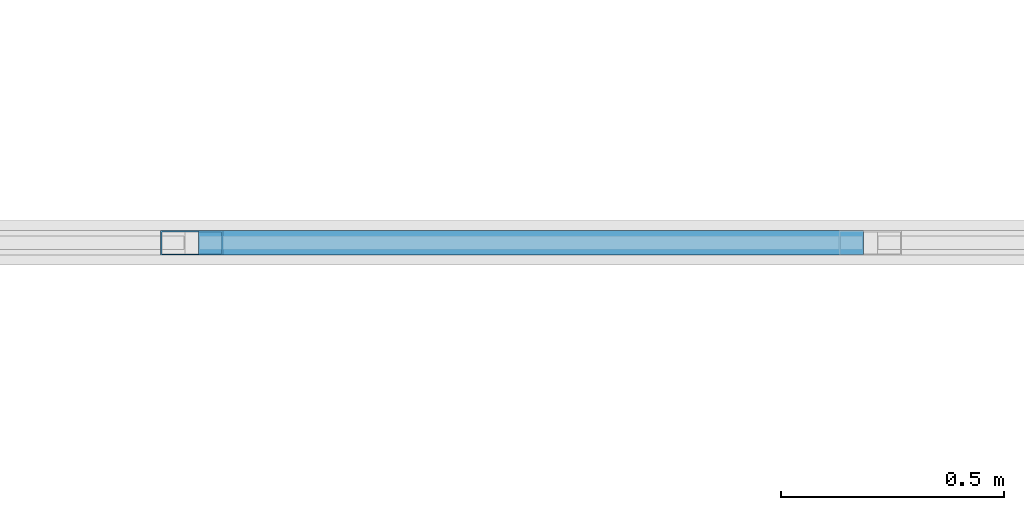
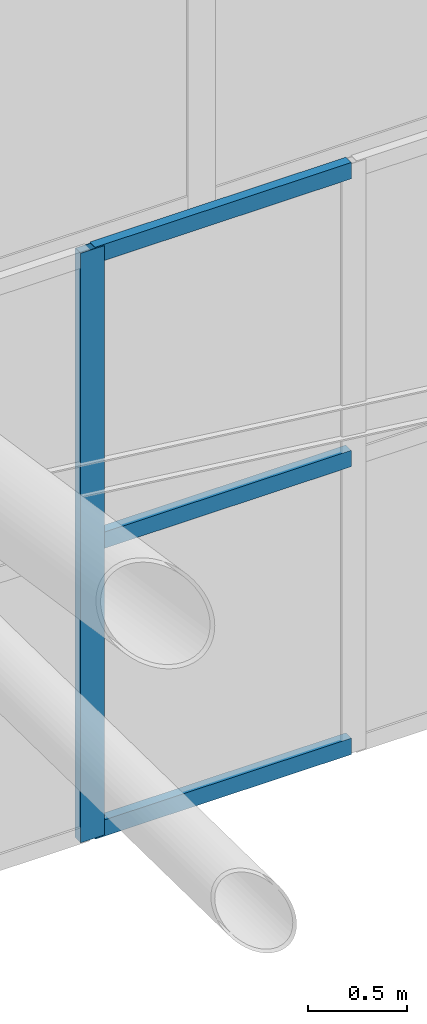
# One storey, part 317 of 397: 4 members, 1 element without a shape of its own.
"""IFC4 building model written with IfcOpenShell, lengths in metres."""

from ifc_helpers import new_model, si_unit, direction, frame, origin, origin_2d, place, context, subcontext, project, spatial, hollow_rectangle, extrude, material, material_profile, profile_set, type_object, element, aggregate, save


model = new_model("IFC4")

# Units and contexts
model_context = context("Model", 3, precision=1e-05, world=origin(), true_north=direction((0.0, 1.0)))
body_context = subcontext(model_context, "Body", "Model", "MODEL_VIEW")
ifc_project = project(units=[si_unit("LENGTHUNIT", "METRE"), si_unit("AREAUNIT", "SQUARE_METRE"), si_unit("VOLUMEUNIT", "CUBIC_METRE"), si_unit("PLANEANGLEUNIT", "RADIAN"), si_unit("MASSUNIT", "GRAM", prefix="KILO")], contexts=[model_context])

# Site, building, storey
site_placement = place(None, origin())
site = spatial("IfcSite", under=ifc_project, at=site_placement, CompositionType="ELEMENT")
building_placement = place(site_placement, origin())
building = spatial("IfcBuilding", under=site, at=building_placement, Name="Qandorah Velis Arena", CompositionType="ELEMENT")
storey_placement = place(building_placement, frame((0.0, 0.0, 27.5)))
storey = spatial("IfcBuildingStorey", under=building, at=storey_placement, Name="RF", CompositionType="ELEMENT", Elevation=27.5)

# Curtain wall, members
ifc_material_1 = material(Name="Solar-control low-E double glazing", Category="glass")
curtain_wall_type = type_object("IfcCurtainWallType", Name="ARC-CW-SYS05", PredefinedType="USERDEFINED", material=ifc_material_1)
curtain_wall_placement = place(storey_placement, origin())
curtain_wall = element("IfcCurtainWall", 1, at=curtain_wall_placement, inside=storey, type_object=curtain_wall_type, Name="Unitised curtain wall MON-4-5", ObjectType="UNITISED CURTAIN WALL", PredefinedType="USERDEFINED")
ifc_material_2 = material(Name="Champagne-bronze anodized aluminium 6063-T6", Category="aluminium")
ifc_material_profile_1 = material_profile(ifc_material_2, hollow_rectangle(XDim=0.054931640625, YDim=0.139892578125, WallThickness=0.0029296875, at=origin_2d()), Name="ALU MULLION 55x140")
ifc_profile_set_1 = profile_set([ifc_material_profile_1], Name="Champagne-bronze anodized aluminium 6063-T6")
member_type_1 = type_object("IfcMemberType", Name="ARC-CWM-140", PredefinedType="MULLION", material=ifc_profile_set_1)
member_1_placement = place(storey_placement, frame((87.1611328125, 108.0, 5.337646484375), z_axis=(0.0, 0.0, 1.0), x_axis=(0.0, 1.0, 0.0)))
member_1 = element("IfcMember", 2, at=member_1_placement, type_object=member_type_1, Name="CW05 mullion 6", PredefinedType="MULLION", context=body_context, shape_type="SweptSolid", body=[
    extrude(hollow_rectangle(XDim=0.054931640625, YDim=0.139892578125, WallThickness=0.0029296875, at=origin_2d()), origin(), (0.0, 0.0, 1.0), 3.630126953125),
])
ifc_material_profile_2 = material_profile(ifc_material_2, hollow_rectangle(XDim=0.054931640625, YDim=0.10009765625, WallThickness=0.0029296875, at=origin_2d()), Name="ALU TRANSOM 55x100")
ifc_profile_set_2 = profile_set([ifc_material_profile_2], Name="Champagne-bronze anodized aluminium 6063-T6")
member_type_2 = type_object("IfcMemberType", Name="ARC-CWT-100", PredefinedType="USERDEFINED", material=ifc_profile_set_2)
member_2_placement = place(storey_placement, frame((87.176513671875, 108.0, 5.380126953125), z_axis=(1.0, 0.0, 0.0), x_axis=(0.0, 1.0, 0.0)))
member_2 = element("IfcMember", 3, at=member_2_placement, type_object=member_type_2, Name="CW05 transom 6.1", ObjectType="TRANSOM", PredefinedType="USERDEFINED", context=body_context, shape_type="SweptSolid", body=[
    extrude(hollow_rectangle(XDim=0.054931640625, YDim=0.10009765625, WallThickness=0.0029296875, at=origin_2d()), origin(), (0.0, 0.0, 1.0), 1.4912109375),
])
member_3_placement = place(storey_placement, frame((87.176513671875, 108.0, 7.152587890625), z_axis=(1.0, 0.0, 0.0), x_axis=(0.0, 1.0, 0.0)))
member_3 = element("IfcMember", 4, at=member_3_placement, type_object=member_type_2, Name="CW05 transom 6.2", ObjectType="TRANSOM", PredefinedType="USERDEFINED", context=body_context, shape_type="SweptSolid", body=[
    extrude(hollow_rectangle(XDim=0.054931640625, YDim=0.10009765625, WallThickness=0.0029296875, at=origin_2d()), origin(), (0.0, 0.0, 1.0), 1.4912109375),
])
member_4_placement = place(storey_placement, frame((87.176513671875, 108.0, 8.92529296875), z_axis=(1.0, 0.0, 0.0), x_axis=(0.0, 1.0, 0.0)))
member_4 = element("IfcMember", 5, at=member_4_placement, type_object=member_type_2, Name="CW05 transom 6.3", ObjectType="TRANSOM", PredefinedType="USERDEFINED", context=body_context, shape_type="SweptSolid", body=[
    extrude(hollow_rectangle(XDim=0.054931640625, YDim=0.10009765625, WallThickness=0.0029296875, at=origin_2d()), origin(), (0.0, 0.0, 1.0), 1.4912109375),
])
aggregate(curtain_wall, [member_1, member_2, member_3, member_4])

save(model, "model.ifc")
